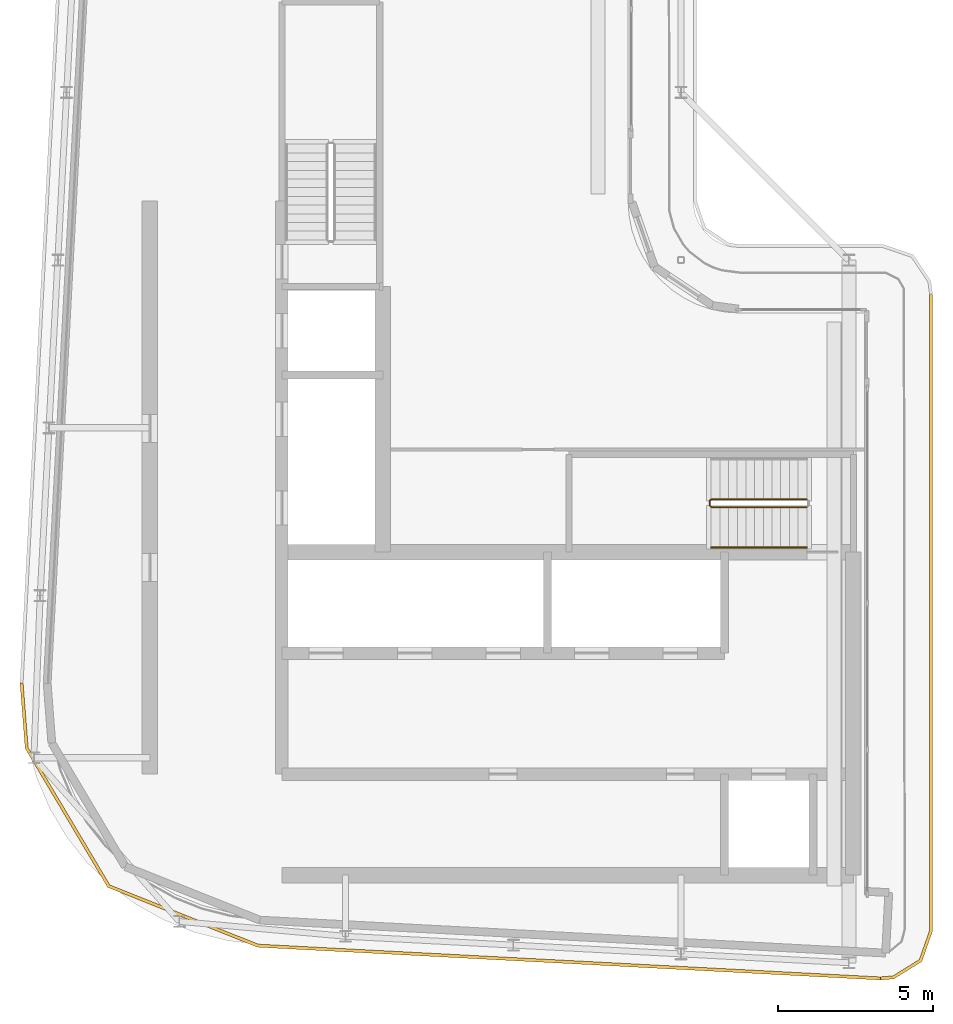
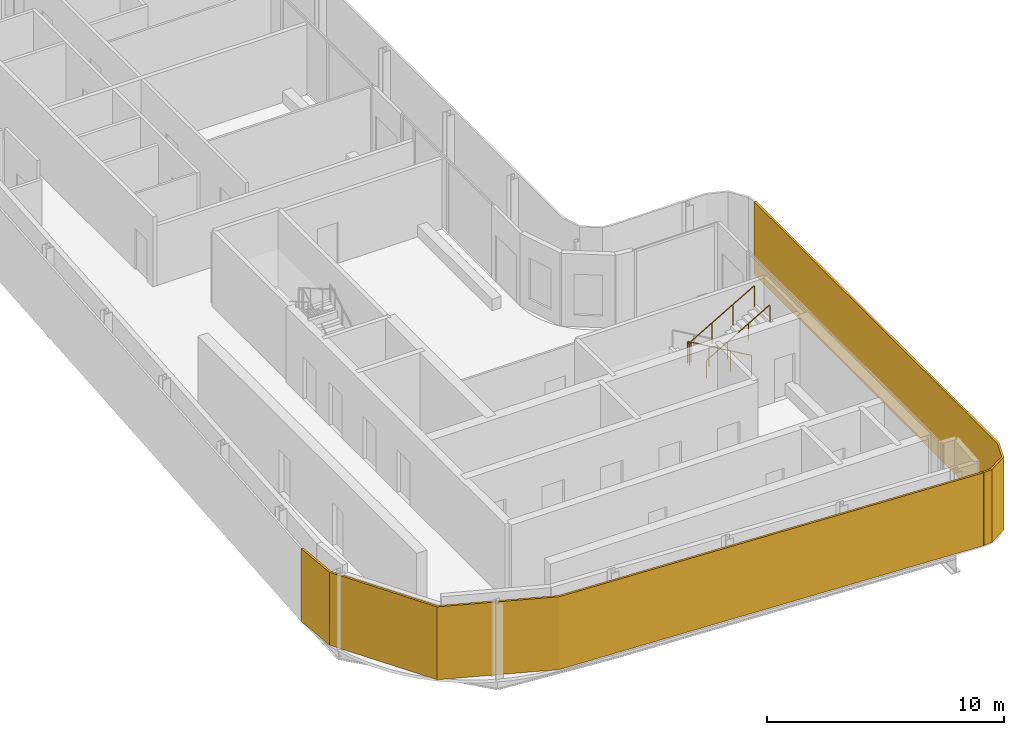
# One storey, part 13 of 18: 2 railings, 2 shading devices.
"""IFC4 building model written with IfcOpenShell, lengths in metres."""

from ifc_helpers import new_model, si_unit, direction, frame, origin, origin_2d, place, context, subcontext, project, spatial, polyline, circle, outline, extrude, material, layer, layer_set, type_object, element, save


model = new_model("IFC4")

# Units and contexts
model_context = context("Model", 3, precision=1e-05, world=origin(), true_north=direction((0.0, 1.0)))
body_context = subcontext(model_context, "Body", "Model", "MODEL_VIEW")
ifc_project = project(units=[si_unit("LENGTHUNIT", "METRE"), si_unit("AREAUNIT", "SQUARE_METRE"), si_unit("VOLUMEUNIT", "CUBIC_METRE"), si_unit("PLANEANGLEUNIT", "RADIAN"), si_unit("MASSUNIT", "GRAM", prefix="KILO")], contexts=[model_context])

# Site, building, storey
site_placement = place(None, origin())
site = spatial("IfcSite", under=ifc_project, at=site_placement, CompositionType="ELEMENT")
building_placement = place(site_placement, origin())
building = spatial("IfcBuilding", under=site, at=building_placement, Name="Kheshtan School and Residences Tower", CompositionType="ELEMENT")
storey_placement = place(building_placement, frame((0.0, 0.0, 365.60009765625)))
storey = spatial("IfcBuildingStorey", under=building, at=storey_placement, Name="L86", CompositionType="ELEMENT", Elevation=365.60009765625)

# Shading devices
ifc_material_1 = material(Name="Terracotta baguette, extruded ceramic", Category="masonry")
ifc_layer_1 = layer(ifc_material_1, 0.10009765625)
ifc_layer_set_1 = layer_set([ifc_layer_1], Name="Ledge screen, terracotta baguettes")
shading_device_type_1 = type_object("IfcShadingDeviceType", Name="Ledge screen, terracotta baguettes", PredefinedType="USERDEFINED", material=ifc_layer_set_1)
shading_device_1_placement = place(storey_placement, origin())
element("IfcShadingDevice", 1, at=shading_device_1_placement, inside=storey, type_object=shading_device_type_1, Name="Screen L86 3", ObjectType="BAGUETTE", PredefinedType="USERDEFINED", context=body_context, shape_type="SweptSolid", body=[
    extrude(outline(polyline([(54.02099609375, 22.52490234375), (33.989013671875, 23.580078125), (29.2119140625, 25.486083984375), (26.583984375, 29.906982421875), (26.419921875, 31.989013671875), (26.320068359375, 31.98095703125), (26.486083984375, 29.8759765625), (29.14306640625, 25.406005859375), (33.967041015625, 23.48095703125), (54.01611328125, 22.425048828125), (54.02099609375, 22.52490234375)])), origin(), (0.0, 0.0, 1.0), 3.75),
])
ifc_material_2 = material(Name="Terracotta lattice, extruded ceramic", Category="masonry")
ifc_layer_2 = layer(ifc_material_2, 0.10009765625)
ifc_layer_set_2 = layer_set([ifc_layer_2], Name="Loggia screen, terracotta lattice")
shading_device_type_2 = type_object("IfcShadingDeviceType", Name="Loggia screen, terracotta lattice", PredefinedType="USERDEFINED", material=ifc_layer_set_2)
shading_device_2_placement = place(storey_placement, origin())
element("IfcShadingDevice", 2, at=shading_device_2_placement, inside=storey, type_object=shading_device_type_2, Name="Screen L86 2", ObjectType="SCREEN", PredefinedType="USERDEFINED", context=body_context, shape_type="SweptSolid", body=[
    extrude(outline(polyline([(55.60009765625, 44.5), (55.60009765625, 24.02294921875), (55.27001953125, 23.083984375), (54.424072265625, 22.55908203125), (54.02099609375, 22.52490234375), (54.029052734375, 22.425048828125), (54.4560546875, 22.4609375), (55.35302734375, 23.01806640625), (55.699951171875, 24.006103515625), (55.699951171875, 44.5), (55.60009765625, 44.5)])), origin(), (0.0, 0.0, 1.0), 3.75),
])

# Railings
ifc_material_3 = material(Name="Stainless steel balustrade", Category="steel")
railing_type_1 = type_object("IfcRailingType", Name="Stair guard 1100", PredefinedType="GUARDRAIL", material=ifc_material_3)
railing_1_placement = place(storey_placement, frame((51.64990234375, 37.89990234375, 0.162353515625)))
element("IfcRailing", 3, at=railing_1_placement, inside=storey, type_object=railing_type_1, Name="L86 ST1 stair guard 1", PredefinedType="GUARDRAIL", context=body_context, shape_type="SweptSolid", body=[
    extrude(circle(Radius=0.02392578125, at=origin_2d()), frame((0.0, 0.0, 1.076171875), z_axis=(-0.864873446163, 0.0, 0.501989962173), x_axis=(0.0, -1.0, 0.0)), (0.0, 0.0, 1.0), 3.56103515625),
    extrude(circle(Radius=0.02392578125, at=origin_2d()), frame((-3.079833984375, 0.0, 2.86376953125), z_axis=(-0.708833529934, -0.705375805398, 0.0), x_axis=(0.705375805398, -0.708833529934, 0.0)), (0.0, 0.0, 1.0), 0.070556640625),
    extrude(circle(Radius=0.02392578125, at=origin_2d()), frame((-3.1298828125, -0.0498046875, 2.86376953125), z_axis=(0.0, -1.0, 0.0), x_axis=(1.0, 0.0, 0.0)), (0.0, 0.0, 1.0), 0.150146484375),
    extrude(circle(Radius=0.02392578125, at=origin_2d()), frame((-3.1298828125, -0.199951171875, 2.86376953125), z_axis=(0.282583949758, -0.282583949758, 0.916674763849), x_axis=(0.707106781187, 0.707106781187, 0.0)), (0.0, 0.0, 1.0), 0.177001953125),
    extrude(circle(Radius=0.02392578125, at=origin_2d()), frame((-3.079833984375, -0.25, 3.02587890625), z_axis=(0.864873446163, 0.0, 0.501989962173), x_axis=(0.0, 1.0, 0.0)), (0.0, 0.0, 1.0), 3.56103515625),
    extrude(circle(Radius=0.02099609375, at=origin_2d()), origin(), (0.0, 0.0, 1.0), 1.052001953125),
    extrude(circle(Radius=0.02099609375, at=origin_2d()), frame((-1.026611328125, 0.0, 0.595947265625)), (0.0, 0.0, 1.0), 1.052001953125),
    extrude(circle(Radius=0.02099609375, at=origin_2d()), frame((-2.05322265625, 0.0, 1.191650390625)), (0.0, 0.0, 1.0), 1.052001953125),
    extrude(circle(Radius=0.02099609375, at=origin_2d()), frame((-3.079833984375, 0.0, 1.78759765625)), (0.0, 0.0, 1.0), 1.052001953125),
    extrude(circle(Radius=0.02099609375, at=origin_2d()), frame((-3.1298828125, -0.0498046875, 1.78759765625)), (0.0, 0.0, 1.0), 1.052001953125),
    extrude(circle(Radius=0.02099609375, at=origin_2d()), frame((-3.1298828125, -0.199951171875, 1.78759765625)), (0.0, 0.0, 1.0), 1.052001953125),
    extrude(circle(Radius=0.02099609375, at=origin_2d()), frame((-3.079833984375, -0.25, 1.949951171875)), (0.0, 0.0, 1.0), 1.052001953125),
    extrude(circle(Radius=0.02099609375, at=origin_2d()), frame((-2.05322265625, -0.25, 2.5458984375)), (0.0, 0.0, 1.0), 1.052001953125),
    extrude(circle(Radius=0.02099609375, at=origin_2d()), frame((-1.026611328125, -0.25, 3.1416015625)), (0.0, 0.0, 1.0), 1.052001953125),
    extrude(circle(Radius=0.02099609375, at=origin_2d()), frame((0.0, -0.25, 3.737548828125)), (0.0, 0.0, 1.0), 1.052001953125),
])
ifc_material_4 = material(Name="Stainless steel handrail", Category="steel")
railing_type_2 = type_object("IfcRailingType", Name="Stair handrail 900", PredefinedType="HANDRAIL", material=ifc_material_4)
railing_2_placement = place(storey_placement, frame((48.570068359375, 36.35009765625, 2.1123046875)))
element("IfcRailing", 4, at=railing_2_placement, inside=storey, type_object=railing_type_2, Name="L86 ST1 stair handrail 2", PredefinedType="HANDRAIL", context=body_context, shape_type="SweptSolid", body=[
    extrude(circle(Radius=0.02392578125, at=origin_2d()), frame((0.0, 0.0, 0.8759765625), z_axis=(0.864873446163, 0.0, 0.501989962173), x_axis=(0.0, 1.0, 0.0)), (0.0, 0.0, 1.0), 3.56103515625),
    extrude(circle(Radius=0.02099609375, at=origin_2d()), origin(), (0.0, 0.0, 1.0), 0.851806640625),
    extrude(circle(Radius=0.02099609375, at=origin_2d()), frame((1.026611328125, 0.0, 0.595947265625)), (0.0, 0.0, 1.0), 0.851806640625),
    extrude(circle(Radius=0.02099609375, at=origin_2d()), frame((2.05322265625, 0.0, 1.191650390625)), (0.0, 0.0, 1.0), 0.851806640625),
    extrude(circle(Radius=0.02099609375, at=origin_2d()), frame((3.079833984375, 0.0, 1.78759765625)), (0.0, 0.0, 1.0), 0.851806640625),
])

save(model, "model.ifc")
